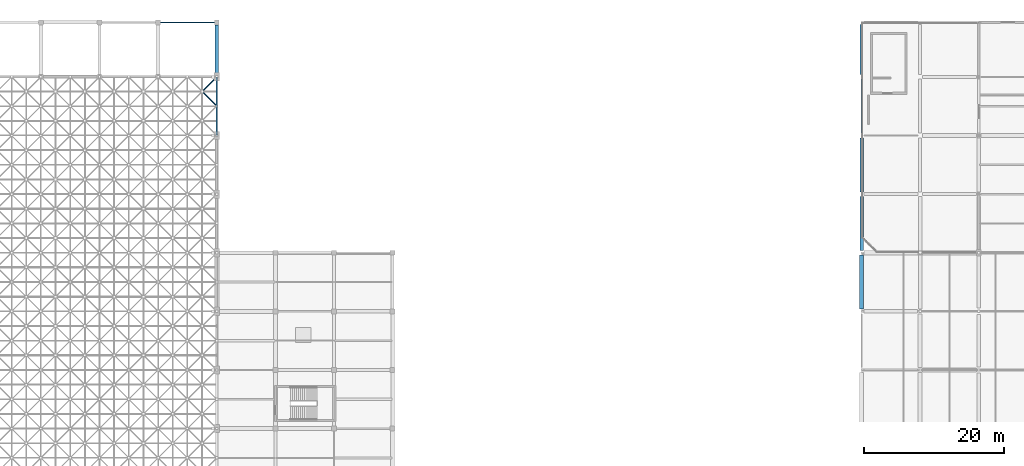
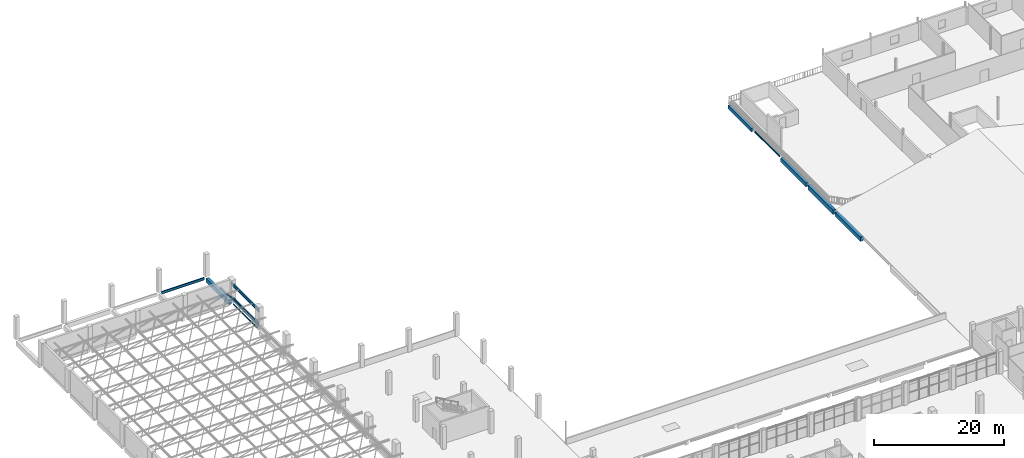
# One storey, part 32 of 64: 10 beams, 2 members.
"""IFC4 building model written with IfcOpenShell, lengths in metres."""

from ifc_helpers import new_model, si_unit, derived_unit, direction, frame, origin, origin_2d, place, context, subcontext, project, spatial, rectangle, hollow_rectangle, hollow_circle, i_section, extrude, material, material_profile, profile_set, type_object, element, save


model = new_model("IFC4")

# Units and contexts
model_context = context("Model", 3, precision=1e-05, world=origin(), true_north=direction((0.0, 1.0)))
body_context = subcontext(model_context, "Body", "Model", "MODEL_VIEW")
ifc_project = project(units=[si_unit("LENGTHUNIT", "METRE"), si_unit("AREAUNIT", "SQUARE_METRE"), si_unit("VOLUMEUNIT", "CUBIC_METRE"), si_unit("PLANEANGLEUNIT", "RADIAN"), si_unit("MASSUNIT", "GRAM", prefix="KILO"), derived_unit("THERMALTRANSMITTANCEUNIT", [(si_unit("POWERUNIT", "WATT"), 1), (si_unit("LENGTHUNIT", "METRE"), -2), (si_unit("THERMODYNAMICTEMPERATUREUNIT", "KELVIN"), -1)])], contexts=[model_context])

# Site, building, storey
site_placement = place(None, origin())
site = spatial("IfcSite", under=ifc_project, at=site_placement, CompositionType="ELEMENT")
building_placement = place(site_placement, origin())
building = spatial("IfcBuilding", under=site, at=building_placement, Name="Barrovel Congress Hotel", CompositionType="ELEMENT")
storey_placement = place(building_placement, frame((0.0, 0.0, 14.10009765625)))
storey = spatial("IfcBuildingStorey", under=building, at=storey_placement, Name="L03", CompositionType="ELEMENT", Elevation=14.10009765625)

# Beams
ifc_material_1 = material(Name="Concrete C40", Category="concrete")
ifc_material_profile_1 = material_profile(ifc_material_1, rectangle(XDim=0.449951171875, YDim=0.64990234375, at=origin_2d()), Name="RC450x650")
ifc_profile_set_1 = profile_set([ifc_material_profile_1], Name="Concrete C40")
beam_type_1 = type_object("IfcBeamType", Name="BM-RC450x650", PredefinedType="BEAM", material=ifc_profile_set_1)
beam_1_placement = place(storey_placement, frame((126.0, 105.324951171875, -0.565185546875), z_axis=(0.0, 1.0, 0.0), x_axis=(-1.0, 0.0, 0.0)))
element("IfcBeam", 1, at=beam_1_placement, inside=storey, type_object=beam_type_1, Name="BMY:L03:126.0:105.0-112.8", PredefinedType="BEAM", context=body_context, shape_type="SweptSolid", body=[
    extrude(rectangle(XDim=0.449951171875, YDim=0.64990234375, at=origin_2d()), origin(), (0.0, 0.0, 1.0), 7.150146484375),
])
ifc_material_profile_2 = material_profile(ifc_material_1, rectangle(XDim=0.5, YDim=0.75, at=origin_2d()), Name="RC500x750")
ifc_profile_set_2 = profile_set([ifc_material_profile_2], Name="Concrete C40")
beam_type_2 = type_object("IfcBeamType", Name="BM-RC500x750", PredefinedType="BEAM", material=ifc_profile_set_2)
beam_2_placement = place(storey_placement, frame((33.60009765625, 105.449951171875, -0.614990234375), z_axis=(0.0, 1.0, 0.0), x_axis=(-1.0, 0.0, 0.0)))
element("IfcBeam", 2, at=beam_2_placement, inside=storey, type_object=beam_type_2, Name="BMY:L03:33.6:105.0-112.8", PredefinedType="BEAM", context=body_context, shape_type="SweptSolid", body=[
    extrude(rectangle(XDim=0.5, YDim=0.75, at=origin_2d()), origin(), (0.0, 0.0, 1.0), 7.0),
])
beam_3_placement = place(storey_placement, frame((126.0, 88.52490234375, -0.614990234375), z_axis=(0.0, 1.0, 0.0), x_axis=(-1.0, 0.0, 0.0)))
element("IfcBeam", 3, at=beam_3_placement, inside=storey, type_object=beam_type_2, Name="BMY:L03:126.0:88.2-96.6", PredefinedType="BEAM", context=body_context, shape_type="SweptSolid", body=[
    extrude(rectangle(XDim=0.5, YDim=0.75, at=origin_2d()), origin(), (0.0, 0.0, 1.0), 7.75),
])
ifc_material_profile_3 = material_profile(ifc_material_1, rectangle(XDim=0.5, YDim=0.85009765625, at=origin_2d()), Name="RC500x850")
ifc_profile_set_3 = profile_set([ifc_material_profile_3], Name="Concrete C40")
beam_type_3 = type_object("IfcBeamType", Name="BM-RC500x850", PredefinedType="BEAM", material=ifc_profile_set_3)
beam_4_placement = place(storey_placement, frame((126.0, 80.125, -0.6650390625), z_axis=(0.0, 1.0, 0.0), x_axis=(-1.0, 0.0, 0.0)))
element("IfcBeam", 4, at=beam_4_placement, inside=storey, type_object=beam_type_3, Name="BMY:L03:126.0:79.8-88.2", PredefinedType="BEAM", context=body_context, shape_type="SweptSolid", body=[
    extrude(rectangle(XDim=0.5, YDim=0.85009765625, at=origin_2d()), origin(), (0.0, 0.0, 1.0), 7.75),
])
ifc_material_profile_4 = material_profile(ifc_material_1, rectangle(XDim=0.550048828125, YDim=0.800048828125, at=origin_2d()), Name="RC550x800")
ifc_profile_set_4 = profile_set([ifc_material_profile_4], Name="Concrete C40")
beam_type_4 = type_object("IfcBeamType", Name="BM-RC550x800", PredefinedType="BEAM", material=ifc_profile_set_4)
beam_5_placement = place(storey_placement, frame((126.0, 71.75, -0.64013671875), z_axis=(0.0, 1.0, 0.0), x_axis=(-1.0, 0.0, 0.0)))
element("IfcBeam", 5, at=beam_5_placement, inside=storey, type_object=beam_type_4, Name="BMY:L03:126.0:71.4-79.8", PredefinedType="BEAM", context=body_context, shape_type="SweptSolid", body=[
    extrude(rectangle(XDim=0.550048828125, YDim=0.800048828125, at=origin_2d()), origin(), (0.0, 0.0, 1.0), 7.72509765625),
])

# Members
ifc_material_2 = material(Name="Steel ASTM A500 Grade C", Category="steel")
ifc_material_profile_5 = material_profile(ifc_material_2, hollow_circle(Radius=0.096923828125, WallThickness=0.0087890625, at=origin_2d()), Name="CHS193.7x9.5")
ifc_profile_set_5 = profile_set([ifc_material_profile_5], Name="Steel ASTM A500 Grade C")
member_type = type_object("IfcMemberType", Name="MEM-CHS193.7x9.5", PredefinedType="BRACE", material=ifc_profile_set_5)
member_1_placement = place(storey_placement, frame((33.60009765625, 100.800048828125, 0.599853515625), z_axis=(-0.527618240532, 0.527556903839, 0.665809811786), x_axis=(-0.707065676302, -0.707147883682, 0.0)))
element("IfcMember", 6, at=member_1_placement, inside=storey, type_object=member_type, Name="Space Frame Roof Truss Diagonal 7-15-2", PredefinedType="BRACE", context=body_context, shape_type="SweptSolid", body=[
    extrude(hollow_circle(Radius=0.096923828125, WallThickness=0.0087890625, at=origin_2d()), origin(), (0.0, 0.0, 1.0), 3.980224609375),
])
member_2_placement = place(storey_placement, frame((33.60009765625, 105.0, 0.599853515625), z_axis=(-0.527601167383, -0.527601167383, 0.665788266908), x_axis=(0.707106781187, -0.707106781187, 0.0)))
element("IfcMember", 7, at=member_2_placement, inside=storey, type_object=member_type, Name="Space Frame Roof Truss Diagonal 7-15-4", PredefinedType="BRACE", context=body_context, shape_type="SweptSolid", body=[
    extrude(hollow_circle(Radius=0.096923828125, WallThickness=0.0087890625, at=origin_2d()), origin(), (0.0, 0.0, 1.0), 3.98046875),
])

# Beams
ifc_material_profile_6 = material_profile(ifc_material_2, hollow_rectangle(XDim=0.15234375, YDim=0.25390625, WallThickness=0.0087890625, InnerFilletRadius=0.0087890625, OuterFilletRadius=0.017578125, at=origin_2d()), Name="HSS254x152x9.5")
ifc_profile_set_6 = profile_set([ifc_material_profile_6], Name="Steel ASTM A500 Grade C")
beam_type_5 = type_object("IfcBeamType", Name="SBM-HSS254x152x9.5", PredefinedType="SPANDREL", material=ifc_profile_set_6)
beam_6_placement = place(storey_placement, frame((33.60009765625, 97.050048828125, -0.3671875), z_axis=(0.0, 1.0, 0.0), x_axis=(-1.0, 0.0, 0.0)))
element("IfcBeam", 8, at=beam_6_placement, inside=storey, type_object=beam_type_5, Name="BMY:L03:33.6:96.6-105.0", PredefinedType="SPANDREL", context=body_context, shape_type="SweptSolid", body=[
    extrude(hollow_rectangle(XDim=0.15234375, YDim=0.25390625, WallThickness=0.0087890625, InnerFilletRadius=0.0087890625, OuterFilletRadius=0.017578125, at=origin_2d()), origin(), (0.0, 0.0, 1.0), 7.5),
])
ifc_material_3 = material(Name="Steel ASTM A992 Grade 50", Category="steel")
ifc_material_profile_7 = material_profile(ifc_material_3, i_section(OverallWidth=0.205078125, OverallDepth=0.31005859375, WebThickness=0.009521484375, FlangeThickness=0.016357421875, FilletRadius=0.012939453125, at=origin_2d()), Name="W310x74")
ifc_profile_set_7 = profile_set([ifc_material_profile_7], Name="Steel ASTM A992 Grade 50")
beam_type_6 = type_object("IfcBeamType", Name="SBM-W310x74", PredefinedType="SPANDREL", material=ifc_profile_set_7)
beam_7_placement = place(storey_placement, frame((126.0, 96.925048828125, -0.39501953125), z_axis=(0.0, 1.0, 0.0), x_axis=(-1.0, 0.0, 0.0)))
element("IfcBeam", 9, at=beam_7_placement, inside=storey, type_object=beam_type_6, Name="BMY:L03:126.0:96.6-105.0", PredefinedType="SPANDREL", context=body_context, shape_type="SweptSolid", body=[
    extrude(i_section(OverallWidth=0.205078125, OverallDepth=0.31005859375, WebThickness=0.009521484375, FlangeThickness=0.016357421875, FilletRadius=0.012939453125, at=origin_2d()), origin(), (0.0, 0.0, 1.0), 7.75),
])
ifc_material_profile_8 = material_profile(ifc_material_3, i_section(OverallWidth=0.19091796875, OverallDepth=0.4599609375, WebThickness=0.010009765625, FlangeThickness=0.01611328125, FilletRadius=0.012939453125, at=origin_2d()), Name="W460x82")
ifc_profile_set_8 = profile_set([ifc_material_profile_8], Name="Steel ASTM A992 Grade 50")
beam_type_7 = type_object("IfcBeamType", Name="SBM-W460x82", PredefinedType="BEAM", material=ifc_profile_set_8)
beam_8_placement = place(storey_placement, frame((25.550048828125, 112.800048828125, -0.47021484375), z_axis=(1.0, 0.0, 0.0), x_axis=(0.0, 1.0, 0.0)))
element("IfcBeam", 10, at=beam_8_placement, inside=storey, type_object=beam_type_7, Name="BMX:L03:112.8:25.2-33.6", PredefinedType="BEAM", context=body_context, shape_type="SweptSolid", body=[
    extrude(i_section(OverallWidth=0.19091796875, OverallDepth=0.4599609375, WebThickness=0.010009765625, FlangeThickness=0.01611328125, FilletRadius=0.012939453125, at=origin_2d()), origin(), (0.0, 0.0, 1.0), 7.699951171875),
])
ifc_material_profile_9 = material_profile(ifc_material_3, i_section(OverallWidth=0.208984375, OverallDepth=0.532958984375, WebThickness=0.01025390625, FlangeThickness=0.015625, FilletRadius=0.013916015625, at=origin_2d()), Name="W530x92")
ifc_profile_set_9 = profile_set([ifc_material_profile_9], Name="Steel ASTM A992 Grade 50")
beam_type_8 = type_object("IfcBeamType", Name="SBM-W530x92", PredefinedType="BEAM", material=ifc_profile_set_9)
beam_9_placement = place(storey_placement, frame((33.60009765625, 96.60009765625, 3.25), z_axis=(0.0, 1.0, 0.0), x_axis=(-1.0, 0.0, 0.0)))
element("IfcBeam", 11, at=beam_9_placement, inside=storey, type_object=beam_type_8, Name="Congress Roof Truss Upper Collector 34-8", PredefinedType="BEAM", context=body_context, shape_type="SweptSolid", body=[
    extrude(i_section(OverallWidth=0.208984375, OverallDepth=0.532958984375, WebThickness=0.01025390625, FlangeThickness=0.015625, FilletRadius=0.013916015625, at=origin_2d()), origin(), (0.0, 0.0, 1.0), 8.39990234375),
])
ifc_material_profile_10 = material_profile(ifc_material_3, i_section(OverallWidth=0.22900390625, OverallDepth=0.612060546875, WebThickness=0.011962890625, FlangeThickness=0.01953125, FilletRadius=0.014892578125, at=origin_2d()), Name="W610x125")
ifc_profile_set_10 = profile_set([ifc_material_profile_10], Name="Steel ASTM A992 Grade 50")
beam_type_9 = type_object("IfcBeamType", Name="SBM-W610x125", PredefinedType="BEAM", material=ifc_profile_set_10)
beam_10_placement = place(storey_placement, frame((33.60009765625, 96.60009765625, 0.599853515625), z_axis=(0.0, 1.0, 0.0), x_axis=(-1.0, 0.0, 0.0)))
element("IfcBeam", 12, at=beam_10_placement, inside=storey, type_object=beam_type_9, Name="Congress Roof Truss Collector Beam 34-8", PredefinedType="BEAM", context=body_context, shape_type="SweptSolid", body=[
    extrude(i_section(OverallWidth=0.22900390625, OverallDepth=0.612060546875, WebThickness=0.011962890625, FlangeThickness=0.01953125, FilletRadius=0.014892578125, at=origin_2d()), origin(), (0.0, 0.0, 1.0), 8.39990234375),
])

save(model, "model.ifc")
